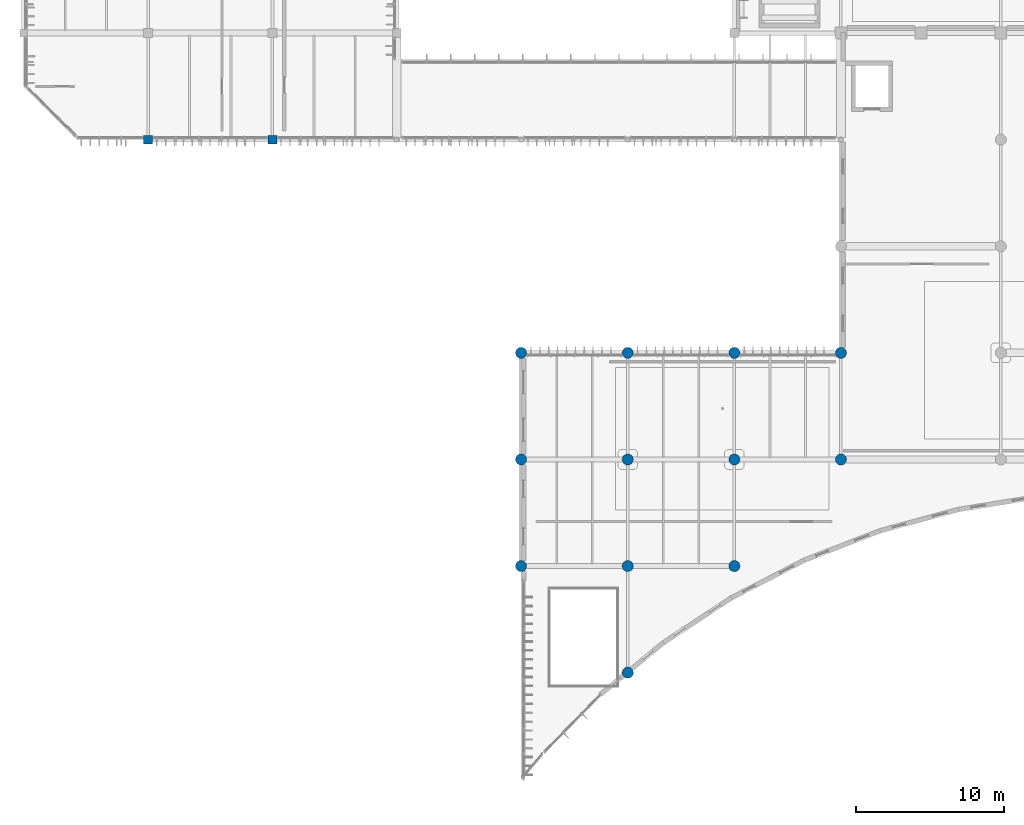
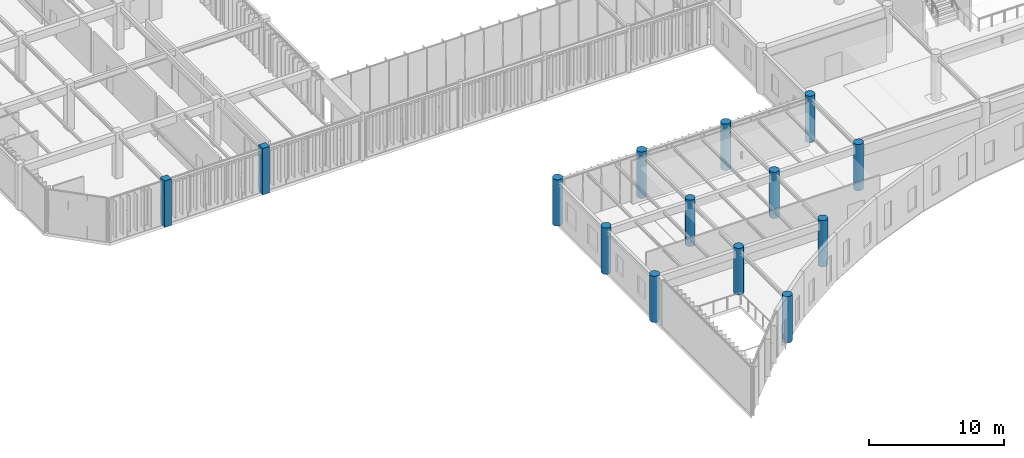
# One storey, part 1 of 122: 14 columns.
"""IFC4 building model written with IfcOpenShell, lengths in metres."""

from ifc_helpers import new_model, si_unit, direction, frame, origin, origin_2d, place, context, subcontext, project, spatial, rectangle, circle, extrude, material, material_profile, profile_set, type_object, element, save


model = new_model("IFC4")

# Units and contexts
model_context = context("Model", 3, precision=1e-05, world=origin(), true_north=direction((0.0, 1.0)))
body_context = subcontext(model_context, "Body", "Model", "MODEL_VIEW")
ifc_project = project(units=[si_unit("LENGTHUNIT", "METRE"), si_unit("AREAUNIT", "SQUARE_METRE"), si_unit("VOLUMEUNIT", "CUBIC_METRE"), si_unit("PLANEANGLEUNIT", "RADIAN"), si_unit("MASSUNIT", "GRAM", prefix="KILO")], contexts=[model_context])

# Site, building, storey
site_placement = place(None, origin())
site = spatial("IfcSite", under=ifc_project, at=site_placement, CompositionType="ELEMENT")
building_placement = place(site_placement, origin())
building = spatial("IfcBuilding", under=site, at=building_placement, Name="Tazoul Stagehouse", CompositionType="ELEMENT")
storey_placement = place(building_placement, frame((0.0, 0.0, 4.800048828125)))
storey = spatial("IfcBuildingStorey", under=building, at=storey_placement, Name="L01", CompositionType="ELEMENT", Elevation=4.800048828125)

# Columns
ifc_material = material(Name="Concrete C40/50", Category="concrete")
ifc_material_profile_1 = material_profile(ifc_material, circle(Radius=0.375, at=origin_2d()), Name="RC D750")
ifc_profile_set_1 = profile_set([ifc_material_profile_1], Name="Concrete C40/50")
column_type_1 = type_object("IfcColumnType", Name="RC Circular Column D750", PredefinedType="COLUMN", material=ifc_profile_set_1)
for number, where, z_axis, x_axis, name in (
    (1, (43.199951171875, 15.800048828125, 0.0), (0.0, 0.0, 1.0), (1.0, 0.0, 0.0), "L01 Column C-08 at 6/C"),
    (2, (43.199951171875, 23.0, 0.0), (0.0, 0.0, 1.0), (1.0, 0.0, 0.0), "L01 Column C-08 at 6/D"),
    (3, (50.39990234375, 15.800048828125, 0.0), (0.0, 0.0, 1.0), (1.0, 0.0, 0.0), "L01 Column C-08 at 7/C"),
    (4, (50.39990234375, 23.0, 0.0), (0.0, 0.0, 1.0), (1.0, 0.0, 0.0), "L01 Column C-08 at 7/D"),
    (5, (57.60009765625, 23.0, 0.0), (0.0, 0.0, 1.0), (1.0, 0.0, 0.0), "L01 Column C-08 at 8/D"),
):
    element("IfcColumn", number, at=place(storey_placement, frame(where, z_axis=z_axis, x_axis=x_axis)), inside=storey, type_object=column_type_1, Name=name, PredefinedType="COLUMN", context=body_context, shape_type="SweptSolid", body=[
        extrude(circle(Radius=0.375, at=origin_2d()), origin(), (0.0, 0.0, 1.0), 4.199951171875),
    ])
ifc_material_profile_2 = material_profile(ifc_material, circle(Radius=0.375, at=origin_2d()), Name="RC D750")
ifc_profile_set_2 = profile_set([ifc_material_profile_2], Name="Concrete C40/50")
column_type_2 = type_object("IfcColumnType", Name="RC Circular Column D750 (Exterior)", PredefinedType="COLUMN", material=ifc_profile_set_2)
for number, where, z_axis, x_axis, name in (
    (6, (36.0, 15.800048828125, 0.0), (0.0, 0.0, 1.0), (1.0, 0.0, 0.0), "L01 Column C-08E at 5/C"),
    (7, (36.0, 23.0, 0.0), (0.0, 0.0, 1.0), (1.0, 0.0, 0.0), "L01 Column C-08E at 5/D"),
    (8, (36.0, 30.199951171875, 0.0), (0.0, 0.0, 1.0), (1.0, 0.0, 0.0), "L01 Column C-08E at 5/E"),
    (9, (43.199951171875, 8.60009765625, 0.0), (0.0, 0.0, 1.0), (1.0, 0.0, 0.0), "L01 Column C-08E at 6/B"),
    (10, (43.199951171875, 30.199951171875, 0.0), (0.0, 0.0, 1.0), (1.0, 0.0, 0.0), "L01 Column C-08E at 6/E"),
    (11, (50.39990234375, 30.199951171875, 0.0), (0.0, 0.0, 1.0), (1.0, 0.0, 0.0), "L01 Column C-08E at 7/E"),
    (12, (57.60009765625, 30.199951171875, 0.0), (0.0, 0.0, 1.0), (1.0, 0.0, 0.0), "L01 Column C-08E at 8/E"),
):
    element("IfcColumn", number, at=place(storey_placement, frame(where, z_axis=z_axis, x_axis=x_axis)), inside=storey, type_object=column_type_2, Name=name, PredefinedType="COLUMN", context=body_context, shape_type="SweptSolid", body=[
        extrude(circle(Radius=0.375, at=origin_2d()), origin(), (0.0, 0.0, 1.0), 4.199951171875),
    ])
ifc_material_profile_3 = material_profile(ifc_material, rectangle(XDim=0.60009765625, YDim=0.60009765625, at=origin_2d()), Name="RC 600x600")
ifc_profile_set_3 = profile_set([ifc_material_profile_3], Name="Concrete C40/50")
column_type_3 = type_object("IfcColumnType", Name="RC Column 600x600 (Exterior)", PredefinedType="COLUMN", material=ifc_profile_set_3)
for number, where, z_axis, x_axis, name in (
    (13, (10.800048828125, 44.60009765625, 0.0), (0.0, 0.0, 1.0), (1.0, 0.0, 0.0), "L01 Column C-03E at 2/G"),
    (14, (19.199951171875, 44.60009765625, 0.0), (0.0, 0.0, 1.0), (1.0, 0.0, 0.0), "L01 Column C-03E at 3/G"),
):
    element("IfcColumn", number, at=place(storey_placement, frame(where, z_axis=z_axis, x_axis=x_axis)), inside=storey, type_object=column_type_3, Name=name, PredefinedType="COLUMN", context=body_context, shape_type="SweptSolid", body=[
        extrude(rectangle(XDim=0.60009765625, YDim=0.60009765625, at=origin_2d()), origin(), (0.0, 0.0, 1.0), 4.199951171875),
    ])

save(model, "model.ifc")
